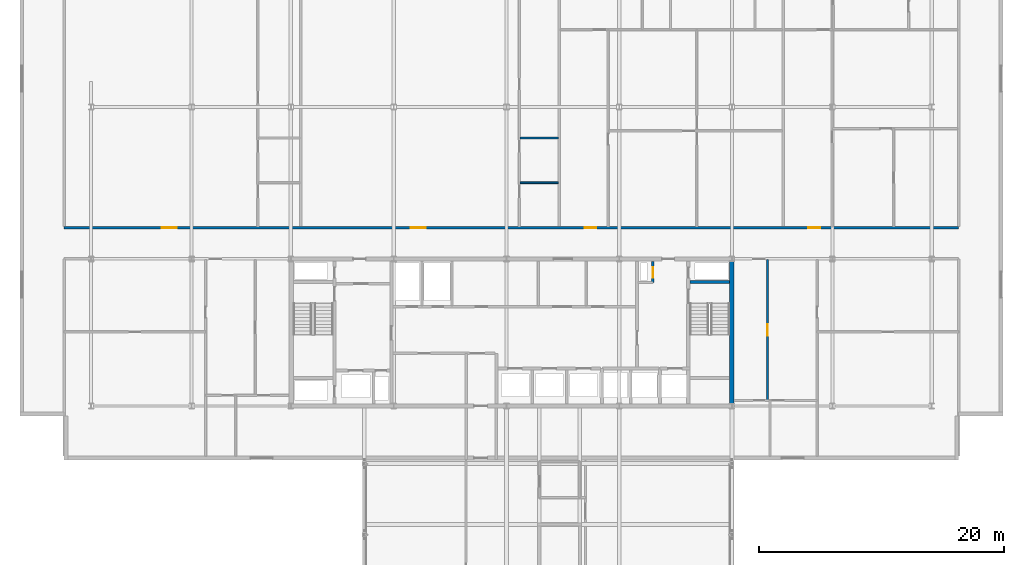
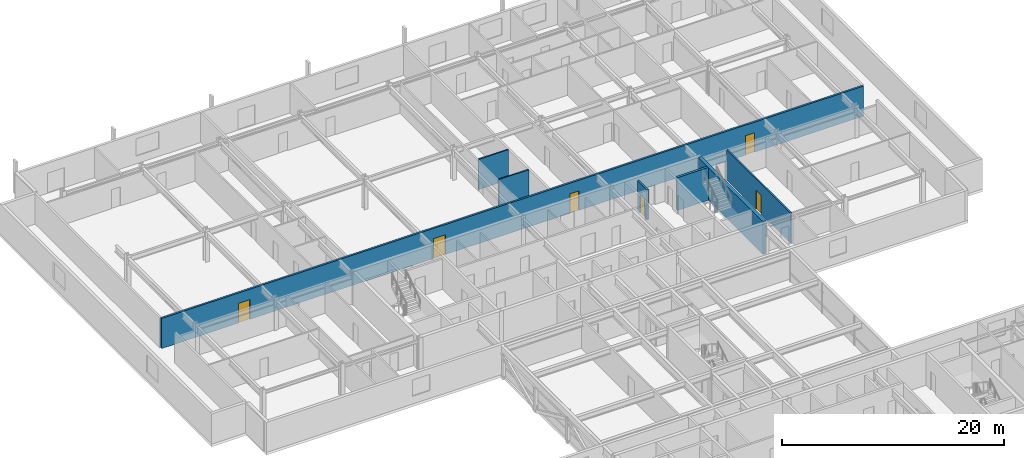
# One storey, part 26 of 36: 7 walls, 6 doors, 6 openings.
"""IFC4 building model written with IfcOpenShell, lengths in metres."""

from ifc_helpers import new_model, si_unit, direction, frame, frame_2d, origin, place, context, subcontext, project, spatial, rectangle, extrude, material, layer, layer_set, type_object, element, fill, save


model = new_model("IFC4")

# Units and contexts
model_context = context("Model", 3, precision=1e-05, world=origin(), true_north=direction((0.0, 1.0)))
body_context = subcontext(model_context, "Body", "Model", "MODEL_VIEW")
ifc_project = project(units=[si_unit("LENGTHUNIT", "METRE"), si_unit("AREAUNIT", "SQUARE_METRE"), si_unit("VOLUMEUNIT", "CUBIC_METRE"), si_unit("PLANEANGLEUNIT", "RADIAN"), si_unit("MASSUNIT", "GRAM", prefix="KILO")], contexts=[model_context])

# Site, building, storey
site_placement = place(None, origin())
site = spatial("IfcSite", under=ifc_project, at=site_placement, CompositionType="ELEMENT")
building_placement = place(site_placement, origin())
building = spatial("IfcBuilding", under=site, at=building_placement, Name="Korimba Cascade Residences", CompositionType="ELEMENT")
storey_placement = place(building_placement, frame((0.0, 0.0, 146.5)))
storey = spatial("IfcBuildingStorey", under=building, at=storey_placement, Name="L42", CompositionType="ELEMENT", Elevation=146.5)

# Wall
ifc_material_1 = material(Name="Concrete C65/80", Category="concrete")
ifc_layer_1 = layer(ifc_material_1, 0.35009765625)
ifc_layer_set_1 = layer_set([ifc_layer_1], Name="Concrete C65/80")
wall_type_1 = type_object("IfcWallType", Name="WAL-CORE-350", PredefinedType="SHEAR", material=ifc_layer_set_1)
wall_1_placement = place(storey_placement, frame((112.074951171875, 55.375, 0.0), z_axis=(0.0, 0.0, 1.0), x_axis=(0.0, 1.0, 0.0)))
element("IfcWall", 1, at=wall_1_placement, inside=storey, type_object=wall_type_1, Name="L42 Core Shear Wall CW-L42-T1-E", PredefinedType="SHEAR", context=body_context, shape_type="SweptSolid", body=[
    extrude(rectangle(XDim=11.64990234375, YDim=0.35009765625, at=frame_2d((5.824951171875, 0.0))), origin(), (0.0, 0.0, 1.0), 3.60009765625),
])

# Wall, openings, doors
ifc_material_2 = material(Name="Precast concrete C40/50", Category="concrete")
ifc_layer_2 = layer(ifc_material_2, 0.199951171875)
ifc_layer_set_2 = layer_set([ifc_layer_2], Name="Precast concrete C40/50")
wall_type_2 = type_object("IfcWallType", Name="WAL-IT-200", PredefinedType="PARTITIONING", material=ifc_layer_set_2)
wall_2_placement = place(storey_placement, frame((57.60009765625, 69.75, 0.0), z_axis=(0.0, 0.0, 1.0), x_axis=(1.0, 0.0, 0.0)))
wall_2 = element("IfcWall", 2, at=wall_2_placement, inside=storey, type_object=wall_type_2, Name="L42 Partition Wall WAL-L42-T1-CORN", PredefinedType="PARTITIONING", context=body_context, shape_type="SweptSolid", body=[
    extrude(rectangle(XDim=73.0, YDim=0.199951171875, at=frame_2d((36.5, 0.0))), origin(), (0.0, 0.0, 1.0), 3.31005859375),
])
opening_1_placement = place(wall_2_placement, frame((7.967041015625, 0.0, 0.0)))
opening_1 = element("IfcOpeningElement", 3, at=opening_1_placement, cuts=wall_2, Name="Opening D-AM1", PredefinedType="OPENING", context=body_context, shape_type="SweptSolid", body=[
    extrude(rectangle(XDim=1.219970703125, YDim=2.179931640625, at=frame_2d((0.60986328125, 1.08984375))), frame((0.0, 0.10986328125, 0.0), z_axis=(0.0, -1.0, 0.0), x_axis=(1.0, 0.0, 0.0)), (0.0, 0.0, 1.0), 0.219970703125),
])
opening_2_placement = place(wall_2_placement, frame((28.29296875, 0.0, 0.0)))
opening_2 = element("IfcOpeningElement", 4, at=opening_2_placement, cuts=wall_2, Name="Opening D-AM1", PredefinedType="OPENING", context=body_context, shape_type="SweptSolid", body=[
    extrude(rectangle(XDim=1.219970703125, YDim=2.179931640625, at=frame_2d((0.60986328125, 1.08984375))), frame((0.0, 0.10986328125, 0.0), z_axis=(0.0, -1.0, 0.0), x_axis=(1.0, 0.0, 0.0)), (0.0, 0.0, 1.0), 0.219970703125),
])
opening_3_placement = place(wall_2_placement, frame((42.46630859375, 0.0, 0.0)))
opening_3 = element("IfcOpeningElement", 5, at=opening_3_placement, cuts=wall_2, Name="Opening D-UN1", PredefinedType="OPENING", context=body_context, shape_type="SweptSolid", body=[
    extrude(rectangle(XDim=0.949951171875, YDim=2.14990234375, at=frame_2d((0.47509765625, 1.074951171875))), frame((0.0, 0.10986328125, 0.0), z_axis=(0.0, -1.0, 0.0), x_axis=(1.0, 0.0, 0.0)), (0.0, 0.0, 1.0), 0.219970703125),
])
opening_4_placement = place(wall_2_placement, frame((60.73779296875, 0.0, 0.0)))
opening_4 = element("IfcOpeningElement", 6, at=opening_4_placement, cuts=wall_2, Name="Opening D-UN1", PredefinedType="OPENING", context=body_context, shape_type="SweptSolid", body=[
    extrude(rectangle(XDim=0.949951171875, YDim=2.14990234375, at=frame_2d((0.47509765625, 1.074951171875))), frame((0.0, 0.10986328125, 0.0), z_axis=(0.0, -1.0, 0.0), x_axis=(1.0, 0.0, 0.0)), (0.0, 0.0, 1.0), 0.219970703125),
])
ifc_material_3 = material(Name="Fire-Rated Glazed Timber Suite Door", Category="wood")
door_type_1 = type_object("IfcDoorType", Name="DR-FD60-1200", OperationType="NOTDEFINED", PredefinedType="DOOR", material=ifc_material_3)
door_1_placement = place(opening_1_placement, origin())
door_1 = element("IfcDoor", 7, at=door_1_placement, inside=storey, type_object=door_type_1, Name="L42-T1-U01 Resident Conference Room Door", OperationType="SINGLE_SWING_LEFT", OverallHeight=2.179931640625, OverallWidth=1.219970703125, PredefinedType="DOOR", context=body_context, shape_type="SweptSolid", body=[
    extrude(rectangle(XDim=1.219970703125, YDim=2.179931640625, at=frame_2d((0.60986328125, 1.08984375))), frame((0.0, 0.02490234375, 0.0), z_axis=(0.0, -1.0, 0.0), x_axis=(1.0, 0.0, 0.0)), (0.0, 0.0, 1.0), 0.050048828125),
])
fill(opening_1, door_1)
door_2_placement = place(opening_2_placement, origin())
door_2 = element("IfcDoor", 8, at=door_2_placement, inside=storey, type_object=door_type_1, Name="L42-T1-U02 Executive Co-Working Office Door", OperationType="SINGLE_SWING_RIGHT", OverallHeight=2.179931640625, OverallWidth=1.219970703125, PredefinedType="DOOR", context=body_context, shape_type="SweptSolid", body=[
    extrude(rectangle(XDim=1.219970703125, YDim=2.179931640625, at=frame_2d((0.60986328125, 1.08984375))), frame((0.0, 0.02490234375, 0.0), z_axis=(0.0, -1.0, 0.0), x_axis=(1.0, 0.0, 0.0)), (0.0, 0.0, 1.0), 0.050048828125),
])
fill(opening_2, door_2)
ifc_material_4 = material(Name="Fire-Rated Hardwood Apartment Entrance Door", Category="wood")
door_type_2 = type_object("IfcDoorType", Name="DR-FD60-950", OperationType="NOTDEFINED", PredefinedType="DOOR", material=ifc_material_4)
door_3_placement = place(opening_3_placement, origin())
door_3 = element("IfcDoor", 9, at=door_3_placement, inside=storey, type_object=door_type_2, Name="Unit L42-T1-U03 Entrance Door", OperationType="SINGLE_SWING_LEFT", OverallHeight=2.14990234375, OverallWidth=0.949951171875, PredefinedType="DOOR", context=body_context, shape_type="SweptSolid", body=[
    extrude(rectangle(XDim=0.949951171875, YDim=2.14990234375, at=frame_2d((0.47509765625, 1.074951171875))), frame((0.0, 0.02490234375, 0.0), z_axis=(0.0, -1.0, 0.0), x_axis=(1.0, 0.0, 0.0)), (0.0, 0.0, 1.0), 0.050048828125),
])
fill(opening_3, door_3)
door_4_placement = place(opening_4_placement, origin())
door_4 = element("IfcDoor", 10, at=door_4_placement, inside=storey, type_object=door_type_2, Name="Unit L42-T1-U04 Entrance Door", OperationType="SINGLE_SWING_RIGHT", OverallHeight=2.14990234375, OverallWidth=0.949951171875, PredefinedType="DOOR", context=body_context, shape_type="SweptSolid", body=[
    extrude(rectangle(XDim=0.949951171875, YDim=2.14990234375, at=frame_2d((0.47509765625, 1.074951171875))), frame((0.0, 0.02490234375, 0.0), z_axis=(0.0, -1.0, 0.0), x_axis=(1.0, 0.0, 0.0)), (0.0, 0.0, 1.0), 0.050048828125),
])
fill(opening_4, door_4)

# Wall, opening, door
ifc_material_5 = material(Name="Insulated Acoustic Stud Partition", Category="gypsum")
ifc_layer_3 = layer(ifc_material_5, 0.14990234375)
ifc_layer_set_3 = layer_set([ifc_layer_3], Name="Insulated Acoustic Stud Partition")
wall_type_3 = type_object("IfcWallType", Name="WAL-PART-150", PredefinedType="PARTITIONING", material=ifc_layer_set_3)
wall_3_placement = place(storey_placement, frame((115.0, 55.64990234375, 0.0), z_axis=(0.0, 0.0, 1.0), x_axis=(0.0, 1.0, 0.0)))
wall_3 = element("IfcWall", 11, at=wall_3_placement, inside=storey, type_object=wall_type_3, Name="L42 Partition Wall WAL-L42-T1-FE-VN", PredefinedType="PARTITIONING", context=body_context, shape_type="SweptSolid", body=[
    extrude(rectangle(XDim=11.5, YDim=0.14990234375, at=frame_2d((5.75, 0.0))), origin(), (0.0, 0.0, 1.0), 3.31005859375),
])
opening_5_placement = place(wall_3_placement, frame((5.2900390625, 0.0, 0.0)))
opening_5 = element("IfcOpeningElement", 12, at=opening_5_placement, cuts=wall_3, Name="Opening D-IN1", PredefinedType="OPENING", context=body_context, shape_type="SweptSolid", body=[
    extrude(rectangle(XDim=0.919921875, YDim=2.080078125, at=frame_2d((0.4599609375, 1.0400390625))), frame((0.0, 0.0849609375, 0.0), z_axis=(0.0, -1.0, 0.0), x_axis=(1.0, 0.0, 0.0)), (0.0, 0.0, 1.0), 0.169921875),
])
ifc_material_6 = material(Name="Acoustic Timber Living Door", Category="wood")
door_type_3 = type_object("IfcDoorType", Name="DR-INT-920", OperationType="NOTDEFINED", PredefinedType="DOOR", material=ifc_material_6)
door_5_placement = place(opening_5_placement, origin())
door_5 = element("IfcDoor", 13, at=door_5_placement, inside=storey, type_object=door_type_3, Name="L42-T1-FE Living Door", OperationType="SINGLE_SWING_LEFT", OverallHeight=2.080078125, OverallWidth=0.919921875, PredefinedType="DOOR", context=body_context, shape_type="SweptSolid", body=[
    extrude(rectangle(XDim=0.919921875, YDim=2.080078125, at=frame_2d((0.4599609375, 1.0400390625))), frame((0.0, 0.02490234375, 0.0), z_axis=(0.0, -1.0, 0.0), x_axis=(1.0, 0.0, 0.0)), (0.0, 0.0, 1.0), 0.050048828125),
])
fill(opening_5, door_5)

# Walls
for number, where, z_axis, x_axis, name in (
    (14, (94.811279296875, 73.419921875, 0.0), (0.0, 0.0, 1.0), (1.0, 0.0, 0.0), "L42 Partition Wall WAL-L42-T1-U02-WCH"),
    (15, (94.811279296875, 77.070068359375, 0.0), (0.0, 0.0, 1.0), (1.0, 0.0, 0.0), "L42 Partition Wall WAL-L42-T1-U02-WCH2"),
):
    element("IfcWall", number, at=place(storey_placement, frame(where, z_axis=z_axis, x_axis=x_axis)), inside=storey, type_object=wall_type_3, Name=name, PredefinedType="PARTITIONING", context=body_context, shape_type="SweptSolid", body=[
        extrude(rectangle(XDim=3.130126953125, YDim=0.14990234375, at=frame_2d((1.56494140625, 0.0))), origin(), (0.0, 0.0, 1.0), 3.31005859375),
    ])

# Wall, opening, door
ifc_material_7 = material(Name="Concrete C40/50", Category="concrete")
ifc_layer_4 = layer(ifc_material_7, 0.199951171875)
ifc_layer_set_4 = layer_set([ifc_layer_4], Name="Concrete C40/50")
wall_type_4 = type_object("IfcWallType", Name="WAL-PART-200", PredefinedType="PARTITIONING", material=ifc_layer_set_4)
wall_4_placement = place(storey_placement, frame((105.64990234375, 65.280029296875, 0.0), z_axis=(0.0, 0.0, 1.0), x_axis=(0.0, 1.0, 0.0)))
wall_4 = element("IfcWall", 16, at=wall_4_placement, inside=storey, type_object=wall_type_4, Name="L42 Partition Wall CW-L42-T1-HYDW2E", PredefinedType="PARTITIONING", context=body_context, shape_type="SweptSolid", body=[
    extrude(rectangle(XDim=1.719970703125, YDim=0.199951171875, at=frame_2d((0.85986328125, 0.0))), origin(), (0.0, 0.0, 1.0), 3.31005859375),
])
opening_6_placement = place(wall_4_placement, frame((0.39990234375, 0.0, 0.0)))
opening_6 = element("IfcOpeningElement", 17, at=opening_6_placement, cuts=wall_4, Name="Opening D-RS1", PredefinedType="OPENING", context=body_context, shape_type="SweptSolid", body=[
    extrude(rectangle(XDim=0.85009765625, YDim=2.050048828125, at=frame_2d((0.425048828125, 1.02490234375))), frame((0.0, 0.10986328125, 0.0), z_axis=(0.0, -1.0, 0.0), x_axis=(1.0, 0.0, 0.0)), (0.0, 0.0, 1.0), 0.219970703125),
])
ifc_material_8 = material(Name="Fire-Rated Steel Riser Access Door", Category="steel")
door_type_4 = type_object("IfcDoorType", Name="DR-FD60-850", OperationType="NOTDEFINED", PredefinedType="DOOR", material=ifc_material_8)
door_6_placement = place(opening_6_placement, origin())
door_6 = element("IfcDoor", 18, at=door_6_placement, inside=storey, type_object=door_type_4, Name="L42 East Hydrant Door", OperationType="SINGLE_SWING_LEFT", OverallHeight=2.050048828125, OverallWidth=0.85009765625, PredefinedType="DOOR", context=body_context, shape_type="SweptSolid", body=[
    extrude(rectangle(XDim=0.85009765625, YDim=2.050048828125, at=frame_2d((0.425048828125, 1.02490234375))), frame((0.0, 0.02490234375, 0.0), z_axis=(0.0, -1.0, 0.0), x_axis=(1.0, 0.0, 0.0)), (0.0, 0.0, 1.0), 0.050048828125),
])
fill(opening_6, door_6)

# Wall
ifc_material_9 = material(Name="Concrete C50/60", Category="concrete")
ifc_layer_5 = layer(ifc_material_9, 0.25)
ifc_layer_set_5 = layer_set([ifc_layer_5], Name="Concrete C50/60")
wall_type_5 = type_object("IfcWallType", Name="WAL-SHAFT-250", PredefinedType="SHEAR", material=ifc_layer_set_5)
wall_5_placement = place(storey_placement, frame((108.659912109375, 65.324951171875, 0.0), z_axis=(0.0, 0.0, 1.0), x_axis=(1.0, 0.0, 0.0)))
element("IfcWall", 19, at=wall_5_placement, inside=storey, type_object=wall_type_5, Name="L42 Core Shear Wall CW-L42-T1-STW2N", PredefinedType="SHEAR", context=body_context, shape_type="SweptSolid", body=[
    extrude(rectangle(XDim=3.239990234375, YDim=0.25, at=frame_2d((1.6201171875, 0.0))), origin(), (0.0, 0.0, 1.0), 3.60009765625),
])

save(model, "model.ifc")
